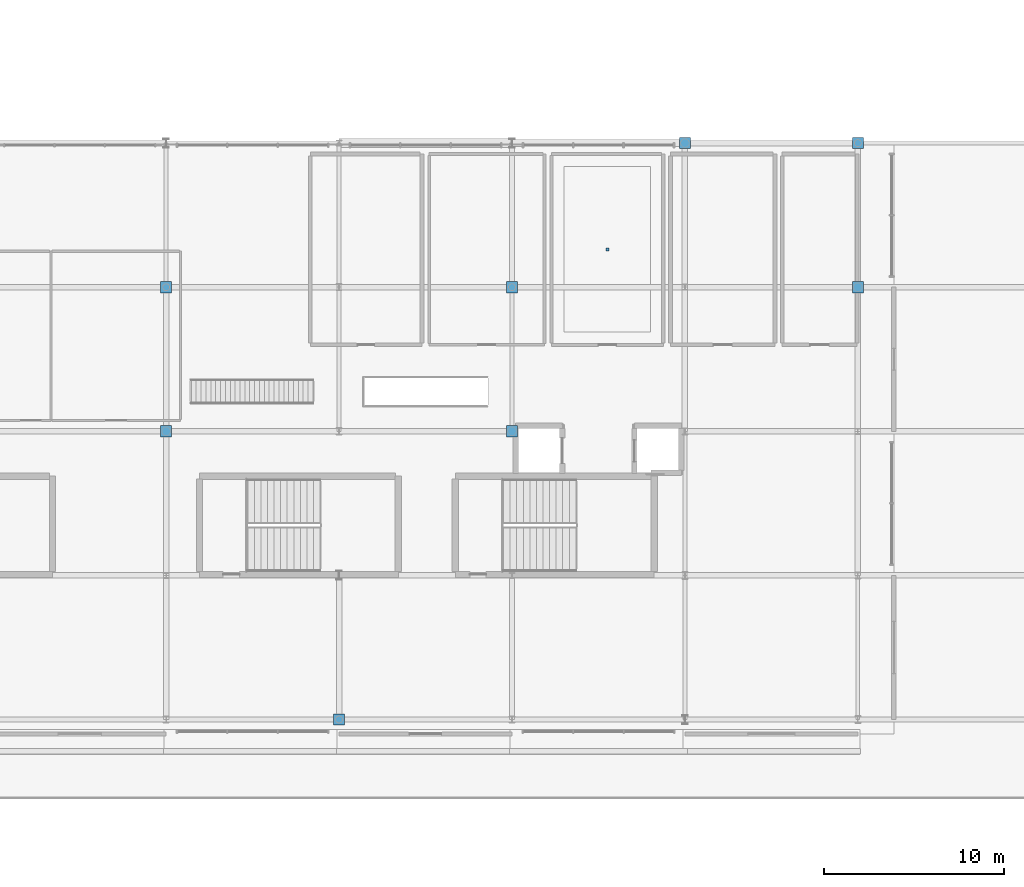
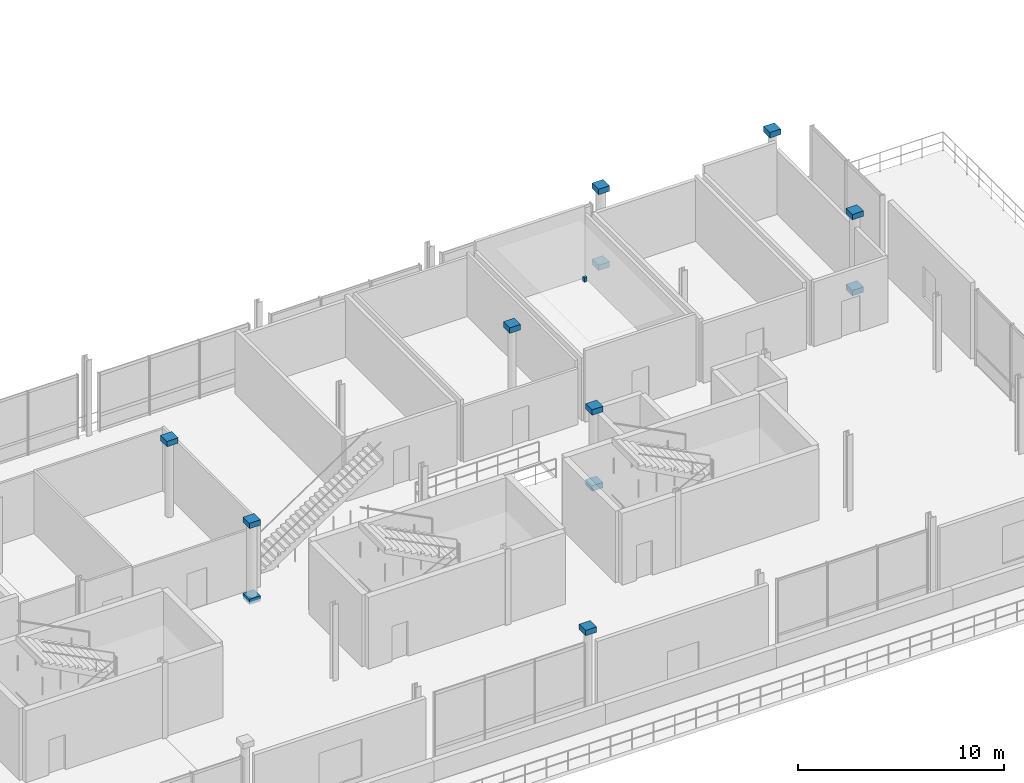
# One storey, part 28 of 36: 13 discrete accessories.
"""IFC4 building model written with IfcOpenShell, lengths in metres."""

from ifc_helpers import new_model, si_unit, direction, frame, origin, origin_2d, place, context, subcontext, project, spatial, rectangle, extrude, material, type_object, element, save


model = new_model("IFC4")

# Units and contexts
model_context = context("Model", 3, precision=1e-05, world=origin(), true_north=direction((0.0, 1.0)))
body_context = subcontext(model_context, "Body", "Model", "MODEL_VIEW")
ifc_project = project(units=[si_unit("LENGTHUNIT", "METRE"), si_unit("AREAUNIT", "SQUARE_METRE"), si_unit("VOLUMEUNIT", "CUBIC_METRE"), si_unit("PLANEANGLEUNIT", "RADIAN"), si_unit("MASSUNIT", "GRAM", prefix="KILO")], contexts=[model_context])

# Site, building, storey
site_placement = place(None, origin())
site = spatial("IfcSite", under=ifc_project, at=site_placement, CompositionType="ELEMENT")
building_placement = place(site_placement, origin())
building = spatial("IfcBuilding", under=site, at=building_placement, Name="Danafjord Basin Convention Centre", CompositionType="ELEMENT")
storey_placement = place(building_placement, frame((0.0, 0.0, 20.39990234375)))
storey = spatial("IfcBuildingStorey", under=building, at=storey_placement, Name="L04", CompositionType="ELEMENT", Elevation=20.39990234375)

# Discrete accessories
ifc_material_1 = material(Name="Stainless steel EN 1.4404", Category="steel")
discrete_accessory_type_1 = type_object("IfcDiscreteAccessoryType", Name="ACC-FIN-BRK", PredefinedType="BRACKET", material=ifc_material_1)
discrete_accessory_placement = place(storey_placement, frame((91.699951171875, 34.10009765625, 4.01025390625), z_axis=(0.0, 0.0, 1.0), x_axis=(1.0, 0.0, 0.0)))
element("IfcDiscreteAccessory", 1, at=discrete_accessory_placement, inside=storey, type_object=discrete_accessory_type_1, Name="Suspended ceiling steel hanger assembly", PredefinedType="BRACKET", context=body_context, shape_type="SweptSolid", body=[
    extrude(rectangle(XDim=0.159912109375, YDim=0.159912109375, at=origin_2d()), origin(), (0.0, 0.0, 1.0), 0.260009765625),
])
ifc_material_2 = material(Name="Steel S355", Category="steel")
discrete_accessory_type_2 = type_object("IfcDiscreteAccessoryType", Name="ACC-SF-HUB", PredefinedType="BRACKET", material=ifc_material_2)
for number, where, z_axis, x_axis, name in (
    (2, (67.199951171875, 24.0, -0.16015625), (0.0, 0.0, 1.0), (1.0, 0.0, 0.0), "Tubular steel column transition collar"),
    (3, (67.199951171875, 24.0, 4.33984375), (0.0, 0.0, 1.0), (1.0, 0.0, 0.0), "Tubular steel column top cap plate"),
    (4, (67.199951171875, 32.0, 4.33984375), (0.0, 0.0, 1.0), (1.0, 0.0, 0.0), "Tubular steel column top cap plate"),
    (5, (76.800048828125, 8.0, 4.33984375), (0.0, 0.0, 1.0), (1.0, 0.0, 0.0), "Tubular steel column top cap plate"),
    (6, (86.39990234375, 24.0, -0.16015625), (0.0, 0.0, 1.0), (1.0, 0.0, 0.0), "Tubular steel column transition collar"),
    (7, (86.39990234375, 24.0, 4.33984375), (0.0, 0.0, 1.0), (1.0, 0.0, 0.0), "Tubular steel column top cap plate"),
    (8, (86.39990234375, 32.0, 4.33984375), (0.0, 0.0, 1.0), (1.0, 0.0, 0.0), "Tubular steel column top cap plate"),
    (9, (96.0, 40.0, -0.16015625), (0.0, 0.0, 1.0), (1.0, 0.0, 0.0), "Tubular steel column transition collar"),
    (10, (96.0, 40.0, 4.33984375), (0.0, 0.0, 1.0), (1.0, 0.0, 0.0), "Tubular steel column top cap plate"),
    (11, (105.60009765625, 32.0, -0.16015625), (0.0, 0.0, 1.0), (1.0, 0.0, 0.0), "Tubular steel column transition collar"),
    (12, (105.60009765625, 32.0, 4.33984375), (0.0, 0.0, 1.0), (1.0, 0.0, 0.0), "Tubular steel column top cap plate"),
    (13, (105.60009765625, 40.0, 4.33984375), (0.0, 0.0, 1.0), (1.0, 0.0, 0.0), "Tubular steel column top cap plate"),
):
    element("IfcDiscreteAccessory", number, at=place(storey_placement, frame(where, z_axis=z_axis, x_axis=x_axis)), inside=storey, type_object=discrete_accessory_type_2, Name=name, PredefinedType="BRACKET", context=body_context, shape_type="SweptSolid", body=[
        extrude(rectangle(XDim=0.6201171875, YDim=0.6201171875, at=origin_2d()), origin(), (0.0, 0.0, 1.0), 0.320068359375),
    ])

save(model, "model.ifc")
